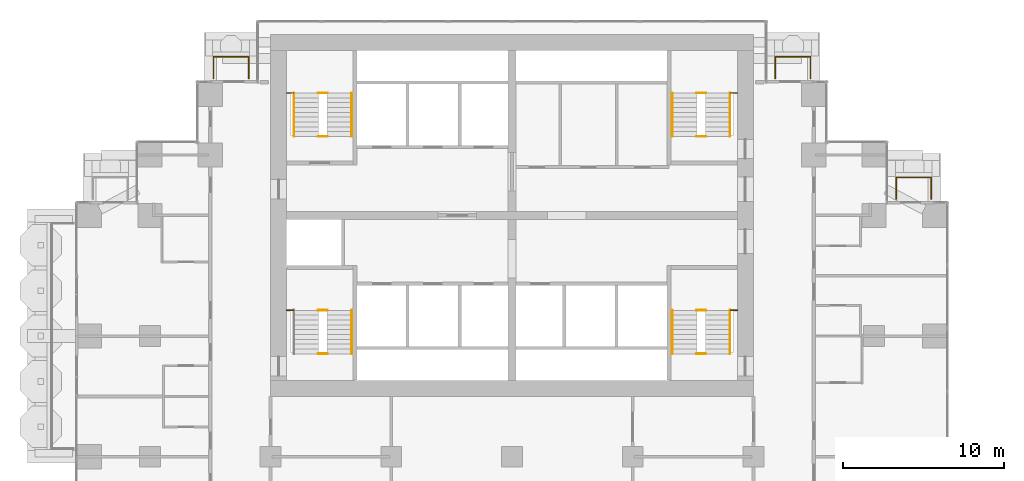
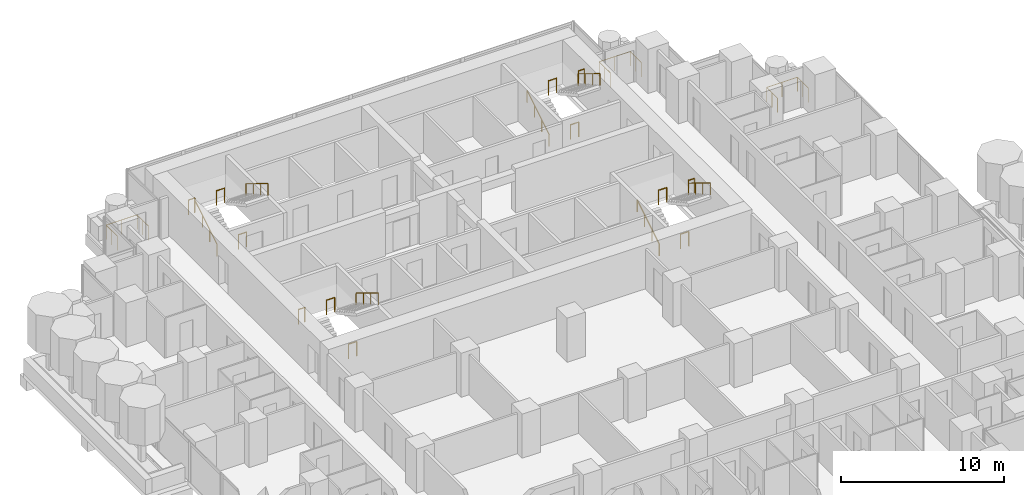
# One storey, part 18 of 19: 22 railings.
"""IFC4 building model written with IfcOpenShell, lengths in metres."""

from ifc_helpers import new_model, si_unit, direction, frame, origin, origin_2d, place, context, subcontext, project, spatial, circle, extrude, material, type_object, element, save


model = new_model("IFC4")

# Units and contexts
model_context = context("Model", 3, precision=1e-05, world=origin(), true_north=direction((0.0, 1.0)))
body_context = subcontext(model_context, "Body", "Model", "MODEL_VIEW")
ifc_project = project(units=[si_unit("LENGTHUNIT", "METRE"), si_unit("AREAUNIT", "SQUARE_METRE"), si_unit("VOLUMEUNIT", "CUBIC_METRE"), si_unit("PLANEANGLEUNIT", "RADIAN"), si_unit("MASSUNIT", "GRAM", prefix="KILO")], contexts=[model_context])

# Site, building, storey
site_placement = place(None, origin())
site = spatial("IfcSite", under=ifc_project, at=site_placement, CompositionType="ELEMENT")
building_placement = place(site_placement, origin())
building = spatial("IfcBuilding", under=site, at=building_placement, Name="Pilkhan Gate Tower", CompositionType="ELEMENT")
storey_placement = place(building_placement, frame((0.0, 0.0, 95.60009765625)))
storey = spatial("IfcBuildingStorey", under=building, at=storey_placement, Name="L23", CompositionType="ELEMENT", Elevation=95.60009765625)

# Railings
ifc_material_1 = material(Name="Pale anodised aluminium posts, laminated glass infill", Category="aluminium")
railing_type_1 = type_object("IfcRailingType", Name="Balcony guard G1", PredefinedType="BALUSTRADE", material=ifc_material_1)
for number, where, name in (
    (1, (56.449951171875, 91.0, 0.0), "Balcony guard L23 N"),
    (2, (91.35009765625, 91.0, 0.0), "Balcony guard L23 N"),
):
    element("IfcRailing", number, at=place(storey_placement, frame(where)), inside=storey, type_object=railing_type_1, Name=name, PredefinedType="BALUSTRADE", context=body_context, shape_type="SweptSolid", body=[
        extrude(circle(Radius=0.02392578125, at=origin_2d()), frame((0.0, 0.0, 1.076171875), z_axis=(0.0, 1.0, 0.0), x_axis=(-1.0, 0.0, 0.0)), (0.0, 0.0, 1.0), 1.35009765625),
        extrude(circle(Radius=0.02392578125, at=origin_2d()), frame((0.0, 1.35009765625, 1.076171875), z_axis=(1.0, 0.0, 0.0), x_axis=(0.0, 1.0, 0.0)), (0.0, 0.0, 1.0), 2.199951171875),
        extrude(circle(Radius=0.02392578125, at=origin_2d()), frame((2.199951171875, 1.35009765625, 1.076171875), z_axis=(0.0, -1.0, 0.0), x_axis=(1.0, 0.0, 0.0)), (0.0, 0.0, 1.0), 1.35009765625),
        extrude(circle(Radius=0.02099609375, at=origin_2d()), origin(), (0.0, 0.0, 1.0), 1.052001953125),
        extrude(circle(Radius=0.02099609375, at=origin_2d()), frame((0.0, 0.675048828125, 0.0)), (0.0, 0.0, 1.0), 1.052001953125),
        extrude(circle(Radius=0.02099609375, at=origin_2d()), frame((0.0, 1.35009765625, 0.0)), (0.0, 0.0, 1.0), 1.052001953125),
        extrude(circle(Radius=0.02099609375, at=origin_2d()), frame((1.10009765625, 1.35009765625, 0.0)), (0.0, 0.0, 1.0), 1.052001953125),
        extrude(circle(Radius=0.02099609375, at=origin_2d()), frame((2.199951171875, 1.35009765625, 0.0)), (0.0, 0.0, 1.0), 1.052001953125),
        extrude(circle(Radius=0.02099609375, at=origin_2d()), frame((2.199951171875, 0.675048828125, 0.0)), (0.0, 0.0, 1.0), 1.052001953125),
        extrude(circle(Radius=0.02099609375, at=origin_2d()), frame((2.199951171875, 0.0, 0.0)), (0.0, 0.0, 1.0), 1.052001953125),
    ])
railing_1_placement = place(storey_placement, frame((98.8701171875, 83.52001953125, 0.0)))
element("IfcRailing", 3, at=railing_1_placement, inside=storey, type_object=railing_type_1, Name="Balcony guard L23 N", PredefinedType="BALUSTRADE", context=body_context, shape_type="SweptSolid", body=[
    extrude(circle(Radius=0.02392578125, at=origin_2d()), frame((0.0, 0.0, 1.076171875), z_axis=(0.0, 1.0, 0.0), x_axis=(-1.0, 0.0, 0.0)), (0.0, 0.0, 1.0), 1.330078125),
    extrude(circle(Radius=0.02392578125, at=origin_2d()), frame((0.0, 1.330078125, 1.076171875), z_axis=(1.0, 0.0, 0.0), x_axis=(0.0, 1.0, 0.0)), (0.0, 0.0, 1.0), 2.179931640625),
    extrude(circle(Radius=0.02392578125, at=origin_2d()), frame((2.179931640625, 1.330078125, 1.076171875), z_axis=(0.0, -1.0, 0.0), x_axis=(1.0, 0.0, 0.0)), (0.0, 0.0, 1.0), 1.330078125),
    extrude(circle(Radius=0.02099609375, at=origin_2d()), origin(), (0.0, 0.0, 1.0), 1.052001953125),
    extrude(circle(Radius=0.02099609375, at=origin_2d()), frame((0.0, 0.6650390625, 0.0)), (0.0, 0.0, 1.0), 1.052001953125),
    extrude(circle(Radius=0.02099609375, at=origin_2d()), frame((0.0, 1.330078125, 0.0)), (0.0, 0.0, 1.0), 1.052001953125),
    extrude(circle(Radius=0.02099609375, at=origin_2d()), frame((1.08984375, 1.330078125, 0.0)), (0.0, 0.0, 1.0), 1.052001953125),
    extrude(circle(Radius=0.02099609375, at=origin_2d()), frame((2.179931640625, 1.330078125, 0.0)), (0.0, 0.0, 1.0), 1.052001953125),
    extrude(circle(Radius=0.02099609375, at=origin_2d()), frame((2.179931640625, 0.6650390625, 0.0)), (0.0, 0.0, 1.0), 1.052001953125),
    extrude(circle(Radius=0.02099609375, at=origin_2d()), frame((2.179931640625, 0.0, 0.0)), (0.0, 0.0, 1.0), 1.052001953125),
])
ifc_material_2 = material(Name="Black powder-coated steel tube", Category="steel")
railing_type_2 = type_object("IfcRailingType", Name="Stair handrail HR1", PredefinedType="HANDRAIL", material=ifc_material_2)
railing_2_placement = place(storey_placement, frame((84.949951171875, 73.89990234375, 0.0)))
element("IfcRailing", 4, at=railing_2_placement, inside=storey, type_object=railing_type_2, Name="Stair ST1 handrail L23", PredefinedType="HANDRAIL", context=body_context, shape_type="SweptSolid", body=[
    extrude(circle(Radius=0.02392578125, at=origin_2d()), frame((0.0, 0.0, 0.8759765625), z_axis=(0.0, 0.853312346642, 0.521400075823), x_axis=(-1.0, 0.0, 0.0)), (0.0, 0.0, 1.0), 3.164306640625),
    extrude(circle(Radius=0.02099609375, at=origin_2d()), origin(), (0.0, 0.0, 1.0), 0.851806640625),
    extrude(circle(Radius=0.02099609375, at=origin_2d()), frame((0.0, 0.900146484375, 0.550048828125)), (0.0, 0.0, 1.0), 0.851806640625),
    extrude(circle(Radius=0.02099609375, at=origin_2d()), frame((0.0, 1.800048828125, 1.099853515625)), (0.0, 0.0, 1.0), 0.851806640625),
    extrude(circle(Radius=0.02099609375, at=origin_2d()), frame((0.0, 2.7001953125, 1.64990234375)), (0.0, 0.0, 1.0), 0.851806640625),
])
for number, where, name in (
    (5, (88.550048828125, 76.60009765625, 1.64990234375), "Stair ST1 handrail L23"),
    (6, (65.050048828125, 76.60009765625, 1.64990234375), "Stair ST2 handrail L23"),
):
    element("IfcRailing", number, at=place(storey_placement, frame(where)), inside=storey, type_object=railing_type_2, Name=name, PredefinedType="HANDRAIL", context=body_context, shape_type="SweptSolid", body=[
        extrude(circle(Radius=0.02392578125, at=origin_2d()), frame((0.0, 0.0, 0.8759765625), z_axis=(0.0, -0.853312346642, 0.521400075823), x_axis=(1.0, 0.0, 0.0)), (0.0, 0.0, 1.0), 3.164306640625),
        extrude(circle(Radius=0.02099609375, at=origin_2d()), origin(), (0.0, 0.0, 1.0), 0.851806640625),
        extrude(circle(Radius=0.02099609375, at=origin_2d()), frame((0.0, -0.900146484375, 0.550048828125)), (0.0, 0.0, 1.0), 0.851806640625),
        extrude(circle(Radius=0.02099609375, at=origin_2d()), frame((0.0, -1.800048828125, 1.099853515625)), (0.0, 0.0, 1.0), 0.851806640625),
        extrude(circle(Radius=0.02099609375, at=origin_2d()), frame((0.0, -2.7001953125, 1.64990234375)), (0.0, 0.0, 1.0), 0.851806640625),
    ])
railing_3_placement = place(storey_placement, frame((61.449951171875, 87.39990234375, 0.0)))
element("IfcRailing", 7, at=railing_3_placement, inside=storey, type_object=railing_type_2, Name="Stair ST3 handrail L23", PredefinedType="HANDRAIL", context=body_context, shape_type="SweptSolid", body=[
    extrude(circle(Radius=0.02392578125, at=origin_2d()), frame((0.0, 0.0, 0.8759765625), z_axis=(0.0, 0.853312346642, 0.521400075823), x_axis=(-1.0, 0.0, 0.0)), (0.0, 0.0, 1.0), 3.164306640625),
    extrude(circle(Radius=0.02099609375, at=origin_2d()), origin(), (0.0, 0.0, 1.0), 0.851806640625),
    extrude(circle(Radius=0.02099609375, at=origin_2d()), frame((0.0, 0.900146484375, 0.550048828125)), (0.0, 0.0, 1.0), 0.851806640625),
    extrude(circle(Radius=0.02099609375, at=origin_2d()), frame((0.0, 1.800048828125, 1.099853515625)), (0.0, 0.0, 1.0), 0.851806640625),
    extrude(circle(Radius=0.02099609375, at=origin_2d()), frame((0.0, 2.7001953125, 1.64990234375)), (0.0, 0.0, 1.0), 0.851806640625),
])
railing_4_placement = place(storey_placement, frame((65.050048828125, 90.10009765625, 1.64990234375)))
element("IfcRailing", 8, at=railing_4_placement, inside=storey, type_object=railing_type_2, Name="Stair ST3 handrail L23", PredefinedType="HANDRAIL", context=body_context, shape_type="SweptSolid", body=[
    extrude(circle(Radius=0.02392578125, at=origin_2d()), frame((0.0, 0.0, 0.8759765625), z_axis=(0.0, -0.853312346642, 0.521400075823), x_axis=(1.0, 0.0, 0.0)), (0.0, 0.0, 1.0), 3.164306640625),
    extrude(circle(Radius=0.02099609375, at=origin_2d()), origin(), (0.0, 0.0, 1.0), 0.851806640625),
    extrude(circle(Radius=0.02099609375, at=origin_2d()), frame((0.0, -0.900146484375, 0.550048828125)), (0.0, 0.0, 1.0), 0.851806640625),
    extrude(circle(Radius=0.02099609375, at=origin_2d()), frame((0.0, -1.800048828125, 1.099853515625)), (0.0, 0.0, 1.0), 0.851806640625),
    extrude(circle(Radius=0.02099609375, at=origin_2d()), frame((0.0, -2.7001953125, 1.64990234375)), (0.0, 0.0, 1.0), 0.851806640625),
])
railing_5_placement = place(storey_placement, frame((84.949951171875, 87.39990234375, 0.0)))
element("IfcRailing", 9, at=railing_5_placement, inside=storey, type_object=railing_type_2, Name="Stair ST4 handrail L23", PredefinedType="HANDRAIL", context=body_context, shape_type="SweptSolid", body=[
    extrude(circle(Radius=0.02392578125, at=origin_2d()), frame((0.0, 0.0, 0.8759765625), z_axis=(0.0, 0.853312346642, 0.521400075823), x_axis=(-1.0, 0.0, 0.0)), (0.0, 0.0, 1.0), 3.164306640625),
    extrude(circle(Radius=0.02099609375, at=origin_2d()), origin(), (0.0, 0.0, 1.0), 0.851806640625),
    extrude(circle(Radius=0.02099609375, at=origin_2d()), frame((0.0, 0.900146484375, 0.550048828125)), (0.0, 0.0, 1.0), 0.851806640625),
    extrude(circle(Radius=0.02099609375, at=origin_2d()), frame((0.0, 1.800048828125, 1.099853515625)), (0.0, 0.0, 1.0), 0.851806640625),
    extrude(circle(Radius=0.02099609375, at=origin_2d()), frame((0.0, 2.7001953125, 1.64990234375)), (0.0, 0.0, 1.0), 0.851806640625),
])
railing_6_placement = place(storey_placement, frame((88.550048828125, 90.10009765625, 1.64990234375)))
element("IfcRailing", 10, at=railing_6_placement, inside=storey, type_object=railing_type_2, Name="Stair ST4 handrail L23", PredefinedType="HANDRAIL", context=body_context, shape_type="SweptSolid", body=[
    extrude(circle(Radius=0.02392578125, at=origin_2d()), frame((0.0, 0.0, 0.8759765625), z_axis=(0.0, -0.853312346642, 0.521400075823), x_axis=(1.0, 0.0, 0.0)), (0.0, 0.0, 1.0), 3.164306640625),
    extrude(circle(Radius=0.02099609375, at=origin_2d()), origin(), (0.0, 0.0, 1.0), 0.851806640625),
    extrude(circle(Radius=0.02099609375, at=origin_2d()), frame((0.0, -0.900146484375, 0.550048828125)), (0.0, 0.0, 1.0), 0.851806640625),
    extrude(circle(Radius=0.02099609375, at=origin_2d()), frame((0.0, -1.800048828125, 1.099853515625)), (0.0, 0.0, 1.0), 0.851806640625),
    extrude(circle(Radius=0.02099609375, at=origin_2d()), frame((0.0, -2.7001953125, 1.64990234375)), (0.0, 0.0, 1.0), 0.851806640625),
])
ifc_material_3 = material(Name="Black powder-coated steel balusters", Category="steel")
railing_type_3 = type_object("IfcRailingType", Name="Stair well guard G3", PredefinedType="GUARDRAIL", material=ifc_material_3)
railing_7_placement = place(storey_placement, frame((88.580078125, 76.60009765625, 1.64990234375)))
element("IfcRailing", 11, at=railing_7_placement, inside=storey, type_object=railing_type_3, Name="Stair ST1 well guard L23", PredefinedType="GUARDRAIL", context=body_context, shape_type="SweptSolid", body=[
    extrude(circle(Radius=0.02392578125, at=origin_2d()), frame((0.0, 0.0, 1.076171875), z_axis=(1.0, 0.0, 0.0), x_axis=(0.0, 1.0, 0.0)), (0.0, 0.0, 1.0), 0.43994140625),
    extrude(circle(Radius=0.02099609375, at=origin_2d()), origin(), (0.0, 0.0, 1.0), 1.052001953125),
    extrude(circle(Radius=0.02099609375, at=origin_2d()), frame((0.43994140625, 0.0, 0.0)), (0.0, 0.0, 1.0), 1.052001953125),
])
for number, where, name in (
    (12, (86.4599609375, 73.89990234375, 0.0), "Stair ST1 well guard L23"),
    (13, (86.4599609375, 76.60009765625, 1.64990234375), "Stair ST1 well guard L23"),
):
    element("IfcRailing", number, at=place(storey_placement, frame(where)), inside=storey, type_object=railing_type_3, Name=name, PredefinedType="GUARDRAIL", context=body_context, shape_type="SweptSolid", body=[
        extrude(circle(Radius=0.02392578125, at=origin_2d()), frame((0.0, 0.0, 1.076171875), z_axis=(1.0, 0.0, 0.0), x_axis=(0.0, 1.0, 0.0)), (0.0, 0.0, 1.0), 0.580078125),
        extrude(circle(Radius=0.02099609375, at=origin_2d()), origin(), (0.0, 0.0, 1.0), 1.052001953125),
        extrude(circle(Radius=0.02099609375, at=origin_2d()), frame((0.580078125, 0.0, 0.0)), (0.0, 0.0, 1.0), 1.052001953125),
    ])
railing_8_placement = place(storey_placement, frame((60.97998046875, 76.60009765625, 1.64990234375)))
element("IfcRailing", 14, at=railing_8_placement, inside=storey, type_object=railing_type_3, Name="Stair ST2 well guard L23", PredefinedType="GUARDRAIL", context=body_context, shape_type="SweptSolid", body=[
    extrude(circle(Radius=0.02392578125, at=origin_2d()), frame((0.0, 0.0, 1.076171875), z_axis=(1.0, 0.0, 0.0), x_axis=(0.0, 1.0, 0.0)), (0.0, 0.0, 1.0), 0.43994140625),
    extrude(circle(Radius=0.02099609375, at=origin_2d()), origin(), (0.0, 0.0, 1.0), 1.052001953125),
    extrude(circle(Radius=0.02099609375, at=origin_2d()), frame((0.43994140625, 0.0, 0.0)), (0.0, 0.0, 1.0), 1.052001953125),
])
for number, where, name in (
    (15, (62.9599609375, 73.89990234375, 0.0), "Stair ST2 well guard L23"),
    (16, (62.9599609375, 76.60009765625, 1.64990234375), "Stair ST2 well guard L23"),
):
    element("IfcRailing", number, at=place(storey_placement, frame(where)), inside=storey, type_object=railing_type_3, Name=name, PredefinedType="GUARDRAIL", context=body_context, shape_type="SweptSolid", body=[
        extrude(circle(Radius=0.02392578125, at=origin_2d()), frame((0.0, 0.0, 1.076171875), z_axis=(1.0, 0.0, 0.0), x_axis=(0.0, 1.0, 0.0)), (0.0, 0.0, 1.0), 0.580078125),
        extrude(circle(Radius=0.02099609375, at=origin_2d()), origin(), (0.0, 0.0, 1.0), 1.052001953125),
        extrude(circle(Radius=0.02099609375, at=origin_2d()), frame((0.580078125, 0.0, 0.0)), (0.0, 0.0, 1.0), 1.052001953125),
    ])
railing_9_placement = place(storey_placement, frame((60.97998046875, 90.10009765625, 1.64990234375)))
element("IfcRailing", 17, at=railing_9_placement, inside=storey, type_object=railing_type_3, Name="Stair ST3 well guard L23", PredefinedType="GUARDRAIL", context=body_context, shape_type="SweptSolid", body=[
    extrude(circle(Radius=0.02392578125, at=origin_2d()), frame((0.0, 0.0, 1.076171875), z_axis=(1.0, 0.0, 0.0), x_axis=(0.0, 1.0, 0.0)), (0.0, 0.0, 1.0), 0.43994140625),
    extrude(circle(Radius=0.02099609375, at=origin_2d()), origin(), (0.0, 0.0, 1.0), 1.052001953125),
    extrude(circle(Radius=0.02099609375, at=origin_2d()), frame((0.43994140625, 0.0, 0.0)), (0.0, 0.0, 1.0), 1.052001953125),
])
for number, where, name in (
    (18, (62.9599609375, 87.39990234375, 0.0), "Stair ST3 well guard L23"),
    (19, (62.9599609375, 90.10009765625, 1.64990234375), "Stair ST3 well guard L23"),
):
    element("IfcRailing", number, at=place(storey_placement, frame(where)), inside=storey, type_object=railing_type_3, Name=name, PredefinedType="GUARDRAIL", context=body_context, shape_type="SweptSolid", body=[
        extrude(circle(Radius=0.02392578125, at=origin_2d()), frame((0.0, 0.0, 1.076171875), z_axis=(1.0, 0.0, 0.0), x_axis=(0.0, 1.0, 0.0)), (0.0, 0.0, 1.0), 0.580078125),
        extrude(circle(Radius=0.02099609375, at=origin_2d()), origin(), (0.0, 0.0, 1.0), 1.052001953125),
        extrude(circle(Radius=0.02099609375, at=origin_2d()), frame((0.580078125, 0.0, 0.0)), (0.0, 0.0, 1.0), 1.052001953125),
    ])
railing_10_placement = place(storey_placement, frame((88.580078125, 90.10009765625, 1.64990234375)))
element("IfcRailing", 20, at=railing_10_placement, inside=storey, type_object=railing_type_3, Name="Stair ST4 well guard L23", PredefinedType="GUARDRAIL", context=body_context, shape_type="SweptSolid", body=[
    extrude(circle(Radius=0.02392578125, at=origin_2d()), frame((0.0, 0.0, 1.076171875), z_axis=(1.0, 0.0, 0.0), x_axis=(0.0, 1.0, 0.0)), (0.0, 0.0, 1.0), 0.43994140625),
    extrude(circle(Radius=0.02099609375, at=origin_2d()), origin(), (0.0, 0.0, 1.0), 1.052001953125),
    extrude(circle(Radius=0.02099609375, at=origin_2d()), frame((0.43994140625, 0.0, 0.0)), (0.0, 0.0, 1.0), 1.052001953125),
])
for number, where, name in (
    (21, (86.4599609375, 87.39990234375, 0.0), "Stair ST4 well guard L23"),
    (22, (86.4599609375, 90.10009765625, 1.64990234375), "Stair ST4 well guard L23"),
):
    element("IfcRailing", number, at=place(storey_placement, frame(where)), inside=storey, type_object=railing_type_3, Name=name, PredefinedType="GUARDRAIL", context=body_context, shape_type="SweptSolid", body=[
        extrude(circle(Radius=0.02392578125, at=origin_2d()), frame((0.0, 0.0, 1.076171875), z_axis=(1.0, 0.0, 0.0), x_axis=(0.0, 1.0, 0.0)), (0.0, 0.0, 1.0), 0.580078125),
        extrude(circle(Radius=0.02099609375, at=origin_2d()), origin(), (0.0, 0.0, 1.0), 1.052001953125),
        extrude(circle(Radius=0.02099609375, at=origin_2d()), frame((0.580078125, 0.0, 0.0)), (0.0, 0.0, 1.0), 1.052001953125),
    ])

save(model, "model.ifc")
